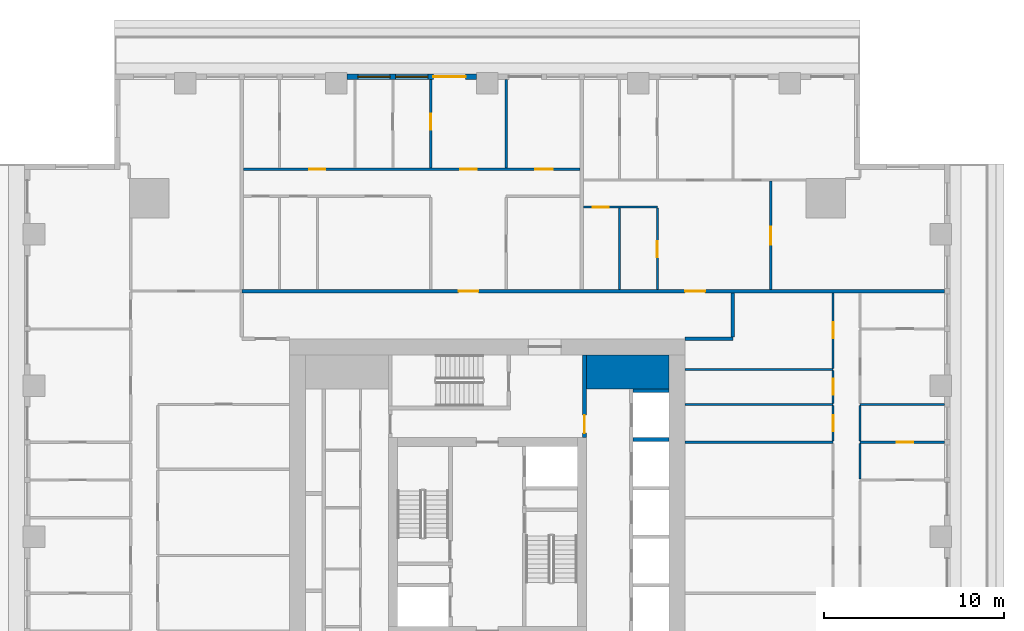
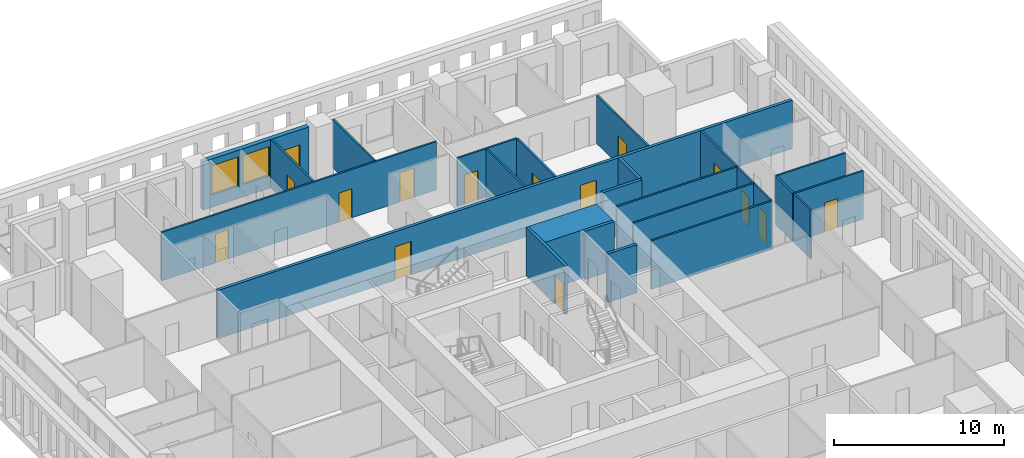
# One storey, part 8 of 15: 25 walls, 15 doors, 2 windows, 17 openings.
"""IFC4 building model written with IfcOpenShell, lengths in metres."""

from ifc_helpers import new_model, si_unit, direction, frame, frame_2d, origin, place, context, subcontext, project, spatial, rectangle, extrude, material, layer, layer_set, type_object, element, fill, save


model = new_model("IFC4")

# Units and contexts
model_context = context("Model", 3, precision=1e-05, world=origin(), true_north=direction((0.0, 1.0)))
body_context = subcontext(model_context, "Body", "Model", "MODEL_VIEW")
ifc_project = project(units=[si_unit("LENGTHUNIT", "METRE"), si_unit("AREAUNIT", "SQUARE_METRE"), si_unit("VOLUMEUNIT", "CUBIC_METRE"), si_unit("PLANEANGLEUNIT", "RADIAN"), si_unit("MASSUNIT", "GRAM", prefix="KILO")], contexts=[model_context])

# Site, building, storey
site_placement = place(None, origin())
site = spatial("IfcSite", under=ifc_project, at=site_placement, CompositionType="ELEMENT")
building_placement = place(site_placement, origin())
building = spatial("IfcBuilding", under=site, at=building_placement, Name="Khepri Terraces", CompositionType="ELEMENT")
storey_placement = place(building_placement, frame((0.0, 0.0, 248.39990234375)))
storey = spatial("IfcBuildingStorey", under=building, at=storey_placement, Name="L59", CompositionType="ELEMENT", Elevation=248.39990234375)

# Walls
ifc_material_1 = material(Name="Concrete C40/50", Category="concrete")
ifc_layer_1 = layer(ifc_material_1, 1.89990234375, Name="Concrete C40/50", Category="concrete")
ifc_layer_set_1 = layer_set([ifc_layer_1], Name="Concrete C40/50")
wall_type_1 = type_object("IfcWallType", Name="Core wall 1900 C40/50", PredefinedType="SHEAR", material=ifc_layer_set_1)
wall_1_placement = place(storey_placement, frame((5.5, 9.14990234375, 0.0), z_axis=(0.0, 0.0, 1.0), x_axis=(1.0, 0.0, 0.0)))
element("IfcWall", 1, at=wall_1_placement, inside=storey, type_object=wall_type_1, Name="Core wall PR04 L59", PredefinedType="SHEAR", context=body_context, shape_type="SweptSolid", body=[
    extrude(rectangle(XDim=4.60009765625, YDim=1.89990234375, at=frame_2d((2.300048828125, 0.0))), origin(), (0.0, 0.0, 1.0), 3.47998046875),
])
ifc_layer_2 = layer(ifc_material_1, 0.199951171875, Name="Concrete C40/50", Category="concrete")
ifc_layer_set_2 = layer_set([ifc_layer_2], Name="Concrete C40/50")
wall_type_2 = type_object("IfcWallType", Name="Core wall 200 C40/50", PredefinedType="SHEAR", material=ifc_layer_set_2)
for number, where, z_axis, x_axis, name in (
    (2, (8.10009765625, 5.39990234375, 0.0), (0.0, 0.0, 1.0), (1.0, 0.0, 0.0), "Core wall SH14 L59"),
    (3, (8.10009765625, 8.10009765625, 0.0), (0.0, 0.0, 1.0), (1.0, 0.0, 0.0), "Core wall SH15 L59"),
):
    element("IfcWall", number, at=place(storey_placement, frame(where, z_axis=z_axis, x_axis=x_axis)), inside=storey, type_object=wall_type_2, Name=name, PredefinedType="SHEAR", context=body_context, shape_type="SweptSolid", body=[
        extrude(rectangle(XDim=2.0, YDim=0.199951171875, at=frame_2d((1.0, 0.0))), origin(), (0.0, 0.0, 1.0), 3.47998046875),
    ])

# Wall, opening, door
ifc_material_2 = material(Name="Fire-rated gypsum board partition")
ifc_layer_3 = layer(ifc_material_2, 0.199951171875, Name="Fire-rated gypsum board partition")
ifc_layer_set_3 = layer_set([ifc_layer_3], Name="Fire-rated gypsum board partition")
wall_type_3 = type_object("IfcWallType", Name="WL-CORE-PART-200", PredefinedType="PARTITIONING", material=ifc_layer_set_3)
wall_2_placement = place(storey_placement, frame((5.39990234375, 5.5, 0.0), z_axis=(0.0, 0.0, 1.0), x_axis=(0.0, 1.0, 0.0)))
wall_2 = element("IfcWall", 4, at=wall_2_placement, inside=storey, type_object=wall_type_3, Name="Core partition PT13 L59", PredefinedType="PARTITIONING", context=body_context, shape_type="SweptSolid", body=[
    extrude(rectangle(XDim=4.60009765625, YDim=0.199951171875, at=frame_2d((2.300048828125, 0.0))), origin(), (0.0, 0.0, 1.0), 3.47998046875),
])
opening_1_placement = place(wall_2_placement, frame((0.25, 0.0, 0.0)))
opening_1 = element("IfcOpeningElement", 5, at=opening_1_placement, cuts=wall_2, Name="Opening L59-C17", PredefinedType="OPENING", context=body_context, shape_type="SweptSolid", body=[
    extrude(rectangle(XDim=1.0, YDim=2.10009765625, at=frame_2d((0.5, 1.050048828125))), frame((0.0, 0.10986328125, 0.0), z_axis=(0.0, -1.0, 0.0), x_axis=(1.0, 0.0, 0.0)), (0.0, 0.0, 1.0), 0.219970703125),
])
ifc_material_3 = material(Name="Painted steel", Category="steel")
door_type_1 = type_object("IfcDoorType", Name="DR-CORE-LOBBY-1000", OperationType="NOTDEFINED", PredefinedType="DOOR", material=ifc_material_3)
door_1_placement = place(opening_1_placement, origin())
door_1 = element("IfcDoor", 6, at=door_1_placement, inside=storey, type_object=door_type_1, Name="Lobby door L59-C17", OperationType="SINGLE_SWING_LEFT", OverallHeight=2.10009765625, OverallWidth=1.0, PredefinedType="DOOR", context=body_context, shape_type="SweptSolid", body=[
    extrude(rectangle(XDim=1.0, YDim=2.10009765625, at=frame_2d((0.5, 1.050048828125))), frame((0.0, 0.02490234375, 0.0), z_axis=(0.0, -1.0, 0.0), x_axis=(1.0, 0.0, 0.0)), (0.0, 0.0, 1.0), 0.050048828125),
])
fill(opening_1, door_1)

# Walls
ifc_material_4 = material(Name="Fire-rated gypsum plasterboard partition, mineral wool")
ifc_layer_4 = layer(ifc_material_4, 0.199951171875, Name="Fire-rated gypsum plasterboard partition, mineral wool")
ifc_layer_set_4 = layer_set([ifc_layer_4], Name="Fire-rated gypsum plasterboard partition, mineral wool")
wall_type_4 = type_object("IfcWallType", Name="WL-CORR-200", PredefinedType="PARTITIONING", material=ifc_layer_set_4)
wall_3_placement = place(storey_placement, frame((11.0, 11.0, 0.0), z_axis=(0.0, 0.0, 1.0), x_axis=(1.0, 0.0, 0.0)))
element("IfcWall", 7, at=wall_3_placement, inside=storey, type_object=wall_type_4, Name="Partition P-074 L59", PredefinedType="PARTITIONING", context=body_context, shape_type="SweptSolid", body=[
    extrude(rectangle(XDim=2.64990234375, YDim=0.199951171875, at=frame_2d((1.324951171875, 0.0))), origin(), (0.0, 0.0, 1.0), 3.47998046875),
])
wall_4_placement = place(storey_placement, frame((13.64990234375, 11.10009765625, 0.0), z_axis=(0.0, 0.0, 1.0), x_axis=(0.0, 1.0, 0.0)))
element("IfcWall", 8, at=wall_4_placement, inside=storey, type_object=wall_type_4, Name="Partition P-076 L59", PredefinedType="PARTITIONING", context=body_context, shape_type="SweptSolid", body=[
    extrude(rectangle(XDim=2.449951171875, YDim=0.199951171875, at=frame_2d((1.22509765625, 0.0))), origin(), (0.0, 0.0, 1.0), 3.47998046875),
])

# Wall, openings, doors
wall_5_placement = place(storey_placement, frame((-13.64990234375, 13.64990234375, 0.0), z_axis=(0.0, 0.0, 1.0), x_axis=(1.0, 0.0, 0.0)))
wall_5 = element("IfcWall", 9, at=wall_5_placement, inside=storey, type_object=wall_type_4, Name="Partition P-082 L59", PredefinedType="PARTITIONING", context=body_context, shape_type="SweptSolid", body=[
    extrude(rectangle(XDim=39.06982421875, YDim=0.199951171875, at=frame_2d((19.534912109375, 0.0))), origin(), (0.0, 0.0, 1.0), 3.47998046875),
])
opening_2_placement = place(wall_5_placement, frame((24.64990234375, 0.0, 0.0)))
opening_2 = element("IfcOpeningElement", 10, at=opening_2_placement, cuts=wall_5, Name="Opening D1", PredefinedType="OPENING", context=body_context, shape_type="SweptSolid", body=[
    extrude(rectangle(XDim=1.10009765625, YDim=2.39990234375, at=frame_2d((0.550048828125, 1.199951171875))), frame((0.0, 0.10986328125, 0.0), z_axis=(0.0, -1.0, 0.0), x_axis=(1.0, 0.0, 0.0)), (0.0, 0.0, 1.0), 0.219970703125),
])
opening_3_placement = place(wall_5_placement, frame((12.050048828125, 0.0, 0.0)))
opening_3 = element("IfcOpeningElement", 11, at=opening_3_placement, cuts=wall_5, Name="Opening D1", PredefinedType="OPENING", context=body_context, shape_type="SweptSolid", body=[
    extrude(rectangle(XDim=1.10009765625, YDim=2.39990234375, at=frame_2d((0.550048828125, 1.199951171875))), frame((0.0, 0.10986328125, 0.0), z_axis=(0.0, -1.0, 0.0), x_axis=(1.0, 0.0, 0.0)), (0.0, 0.0, 1.0), 0.219970703125),
])
ifc_material_5 = material(Name="Solid-core timber door leaf, flat entrance door", Category="wood")
door_type_2 = type_object("IfcDoorType", Name="DR-ENT-1100", OperationType="NOTDEFINED", PredefinedType="DOOR", material=ifc_material_5)
door_2_placement = place(opening_2_placement, origin())
door_2 = element("IfcDoor", 12, at=door_2_placement, inside=storey, type_object=door_type_2, Name="Flat C1 entrance door", OperationType="SINGLE_SWING_RIGHT", OverallHeight=2.39990234375, OverallWidth=1.10009765625, PredefinedType="DOOR", context=body_context, shape_type="SweptSolid", body=[
    extrude(rectangle(XDim=1.10009765625, YDim=2.39990234375, at=frame_2d((0.550048828125, 1.199951171875))), frame((0.0, 0.02490234375, 0.0), z_axis=(0.0, -1.0, 0.0), x_axis=(1.0, 0.0, 0.0)), (0.0, 0.0, 1.0), 0.050048828125),
])
fill(opening_2, door_2)
door_3_placement = place(opening_3_placement, origin())
door_3 = element("IfcDoor", 13, at=door_3_placement, inside=storey, type_object=door_type_2, Name="Flat C2 entrance door", OperationType="SINGLE_SWING_LEFT", OverallHeight=2.39990234375, OverallWidth=1.10009765625, PredefinedType="DOOR", context=body_context, shape_type="SweptSolid", body=[
    extrude(rectangle(XDim=1.10009765625, YDim=2.39990234375, at=frame_2d((0.550048828125, 1.199951171875))), frame((0.0, 0.02490234375, 0.0), z_axis=(0.0, -1.0, 0.0), x_axis=(1.0, 0.0, 0.0)), (0.0, 0.0, 1.0), 0.050048828125),
])
fill(opening_3, door_3)

# Wall, openings, door, windows
ifc_material_6 = material(Name="Precast concrete C50/60 warm stone", Category="masonry")
ifc_layer_5 = layer(ifc_material_6, 0.300048828125, Name="Precast concrete C50/60 warm stone", Category="masonry")
ifc_layer_set_5 = layer_set([ifc_layer_5], Name="Precast concrete C50/60 warm stone")
wall_type_5 = type_object("IfcWallType", Name="WL-EXT-PRECAST-300", PredefinedType="STANDARD", material=ifc_layer_set_5)
wall_6_placement = place(storey_placement, frame((-0.60009765625, 25.570068359375, 0.0), z_axis=(0.0, 0.0, 1.0), x_axis=(-1.0, 0.0, 0.0)))
wall_6 = element("IfcWall", 14, at=wall_6_placement, inside=storey, type_object=wall_type_5, Name="External wall L59 N", PredefinedType="STANDARD", context=body_context, shape_type="SweptSolid", body=[
    extrude(rectangle(XDim=7.199951171875, YDim=0.300048828125, at=frame_2d((3.60009765625, 0.0))), origin(), (0.0, 0.0, 1.0), 3.47998046875),
])
opening_4_placement = place(wall_6_placement, frame((0.60009765625, 0.0, 0.0)))
opening_4 = element("IfcOpeningElement", 15, at=opening_4_placement, cuts=wall_6, Name="Opening ED-L59-11", PredefinedType="OPENING", context=body_context, shape_type="SweptSolid", body=[
    extrude(rectangle(XDim=1.800048828125, YDim=2.39990234375, at=frame_2d((0.89990234375, 1.199951171875))), frame((0.0, 0.16015625, 0.0), z_axis=(0.0, -1.0, 0.0), x_axis=(1.0, 0.0, 0.0)), (0.0, 0.0, 1.0), 0.320068359375),
])
opening_5_placement = place(wall_6_placement, frame((2.699951171875, 0.0, 0.89990234375)))
opening_5 = element("IfcOpeningElement", 16, at=opening_5_placement, cuts=wall_6, Name="Opening W1", PredefinedType="OPENING", context=body_context, shape_type="SweptSolid", body=[
    extrude(rectangle(XDim=1.800048828125, YDim=2.10009765625, at=frame_2d((0.89990234375, 1.050048828125))), frame((0.0, 0.16015625, 0.0), z_axis=(0.0, -1.0, 0.0), x_axis=(1.0, 0.0, 0.0)), (0.0, 0.0, 1.0), 0.320068359375),
])
opening_6_placement = place(wall_6_placement, frame((4.800048828125, 0.0, 0.89990234375)))
opening_6 = element("IfcOpeningElement", 17, at=opening_6_placement, cuts=wall_6, Name="Opening W1", PredefinedType="OPENING", context=body_context, shape_type="SweptSolid", body=[
    extrude(rectangle(XDim=1.800048828125, YDim=2.10009765625, at=frame_2d((0.89990234375, 1.050048828125))), frame((0.0, 0.16015625, 0.0), z_axis=(0.0, -1.0, 0.0), x_axis=(1.0, 0.0, 0.0)), (0.0, 0.0, 1.0), 0.320068359375),
])
ifc_material_7 = material(Name="Anodised aluminium bronze glazed door", Category="aluminium")
door_type_3 = type_object("IfcDoorType", Name="DR-BAL-SLIDE-1800x2400", OperationType="NOTDEFINED", PredefinedType="DOOR", material=ifc_material_7)
door_4_placement = place(opening_4_placement, origin())
door_4 = element("IfcDoor", 18, at=door_4_placement, inside=storey, type_object=door_type_3, Name="Balcony door L59 N", OperationType="SLIDING_TO_LEFT", OverallHeight=2.39990234375, OverallWidth=1.800048828125, PredefinedType="DOOR", context=body_context, shape_type="SweptSolid", body=[
    extrude(rectangle(XDim=1.800048828125, YDim=2.39990234375, at=frame_2d((0.89990234375, 1.199951171875))), frame((0.0, 0.02490234375, 0.0), z_axis=(0.0, -1.0, 0.0), x_axis=(1.0, 0.0, 0.0)), (0.0, 0.0, 1.0), 0.050048828125),
])
fill(opening_4, door_4)
ifc_material_8 = material(Name="Clear glass", Category="glass")
window_type = type_object("IfcWindowType", Name="WIN-RES-1800x2100", PartitioningType="SINGLE_PANEL", PredefinedType="WINDOW", material=ifc_material_8)
window_1_placement = place(opening_5_placement, origin())
window_1 = element("IfcWindow", 19, at=window_1_placement, inside=storey, type_object=window_type, Name="Window L59 N", OverallHeight=2.10009765625, OverallWidth=1.800048828125, PartitioningType="SINGLE_PANEL", PredefinedType="WINDOW", context=body_context, shape_type="SweptSolid", body=[
    extrude(rectangle(XDim=1.800048828125, YDim=2.10009765625, at=frame_2d((0.89990234375, 1.050048828125))), frame((0.0, 0.030029296875, 0.0), z_axis=(0.0, -1.0, 0.0), x_axis=(1.0, 0.0, 0.0)), (0.0, 0.0, 1.0), 0.06005859375),
])
fill(opening_5, window_1)
window_2_placement = place(opening_6_placement, origin())
window_2 = element("IfcWindow", 20, at=window_2_placement, inside=storey, type_object=window_type, Name="Window L59 N", OverallHeight=2.10009765625, OverallWidth=1.800048828125, PartitioningType="SINGLE_PANEL", PredefinedType="WINDOW", context=body_context, shape_type="SweptSolid", body=[
    extrude(rectangle(XDim=1.800048828125, YDim=2.10009765625, at=frame_2d((0.89990234375, 1.050048828125))), frame((0.0, 0.030029296875, 0.0), z_axis=(0.0, -1.0, 0.0), x_axis=(1.0, 0.0, 0.0)), (0.0, 0.0, 1.0), 0.06005859375),
])
fill(opening_6, window_2)

# Walls
ifc_material_9 = material(Name="Gypsum plasterboard partition")
ifc_layer_6 = layer(ifc_material_9, 0.1201171875, Name="Gypsum plasterboard partition")
ifc_layer_set_6 = layer_set([ifc_layer_6], Name="Gypsum plasterboard partition")
wall_type_6 = type_object("IfcWallType", Name="WL-PART-120", PredefinedType="PARTITIONING", material=ifc_layer_set_6)
wall_7_placement = place(storey_placement, frame((20.719970703125, 3.2099609375, 0.0), z_axis=(0.0, 0.0, 1.0), x_axis=(0.0, 1.0, 0.0)))
element("IfcWall", 21, at=wall_7_placement, inside=storey, type_object=wall_type_6, Name="Partition P-057 L59", PredefinedType="PARTITIONING", context=body_context, shape_type="SweptSolid", body=[
    extrude(rectangle(XDim=1.97998046875, YDim=0.1201171875, at=frame_2d((0.989990234375, 0.0))), origin(), (0.0, 0.0, 1.0), 3.47998046875),
])
wall_8_placement = place(storey_placement, frame((11.0, 5.25, 0.0), z_axis=(0.0, 0.0, 1.0), x_axis=(1.0, 0.0, 0.0)))
element("IfcWall", 22, at=wall_8_placement, inside=storey, type_object=wall_type_6, Name="Partition P-061 L59", PredefinedType="PARTITIONING", context=body_context, shape_type="SweptSolid", body=[
    extrude(rectangle(XDim=8.219970703125, YDim=0.1201171875, at=frame_2d((4.10986328125, 0.0))), origin(), (0.0, 0.0, 1.0), 3.47998046875),
])

# Wall, opening, door
wall_9_placement = place(storey_placement, frame((20.719970703125, 5.25, 0.0), z_axis=(0.0, 0.0, 1.0), x_axis=(1.0, 0.0, 0.0)))
wall_9 = element("IfcWall", 23, at=wall_9_placement, inside=storey, type_object=wall_type_6, Name="Partition P-062 L59", PredefinedType="PARTITIONING", context=body_context, shape_type="SweptSolid", body=[
    extrude(rectangle(XDim=4.699951171875, YDim=0.1201171875, at=frame_2d((2.35009765625, 0.0))), origin(), (0.0, 0.0, 1.0), 3.47998046875),
])
opening_7_placement = place(wall_9_placement, frame((2.050048828125, 0.0, 0.0)))
opening_7 = element("IfcOpeningElement", 24, at=opening_7_placement, cuts=wall_9, Name="Opening D4", PredefinedType="OPENING", context=body_context, shape_type="SweptSolid", body=[
    extrude(rectangle(XDim=0.89990234375, YDim=2.10009765625, at=frame_2d((0.449951171875, 1.050048828125))), frame((0.0, 0.070068359375, 0.0), z_axis=(0.0, -1.0, 0.0), x_axis=(1.0, 0.0, 0.0)), (0.0, 0.0, 1.0), 0.14013671875),
])
ifc_material_10 = material(Name="Timber door leaf, moisture resistant", Category="wood")
door_type_4 = type_object("IfcDoorType", Name="DR-WET-900", OperationType="NOTDEFINED", PredefinedType="DOOR", material=ifc_material_10)
door_5_placement = place(opening_7_placement, origin())
door_5 = element("IfcDoor", 25, at=door_5_placement, inside=storey, type_object=door_type_4, Name="Door Bathroom", OperationType="SINGLE_SWING_RIGHT", OverallHeight=2.10009765625, OverallWidth=0.89990234375, PredefinedType="DOOR", context=body_context, shape_type="SweptSolid", body=[
    extrude(rectangle(XDim=0.89990234375, YDim=2.10009765625, at=frame_2d((0.449951171875, 1.050048828125))), frame((0.0, 0.02490234375, 0.0), z_axis=(0.0, -1.0, 0.0), x_axis=(1.0, 0.0, 0.0)), (0.0, 0.0, 1.0), 0.050048828125),
])
fill(opening_7, door_5)

wall_10_placement = place(storey_placement, frame((19.219970703125, 5.31005859375, 0.0), z_axis=(0.0, 0.0, 1.0), x_axis=(0.0, 1.0, 0.0)))
wall_10 = element("IfcWall", 26, at=wall_10_placement, inside=storey, type_object=wall_type_6, Name="Partition P-064 L59", PredefinedType="PARTITIONING", context=body_context, shape_type="SweptSolid", body=[
    extrude(rectangle(XDim=1.97998046875, YDim=0.1201171875, at=frame_2d((0.989990234375, 0.0))), origin(), (0.0, 0.0, 1.0), 3.47998046875),
])
opening_8_placement = place(wall_10_placement, frame((0.5400390625, 0.0, 0.0)))
opening_8 = element("IfcOpeningElement", 27, at=opening_8_placement, cuts=wall_10, Name="Opening D4", PredefinedType="OPENING", context=body_context, shape_type="SweptSolid", body=[
    extrude(rectangle(XDim=0.89990234375, YDim=2.10009765625, at=frame_2d((0.449951171875, 1.050048828125))), frame((0.0, 0.070068359375, 0.0), z_axis=(0.0, -1.0, 0.0), x_axis=(1.0, 0.0, 0.0)), (0.0, 0.0, 1.0), 0.14013671875),
])
door_6_placement = place(opening_8_placement, origin())
door_6 = element("IfcDoor", 28, at=door_6_placement, inside=storey, type_object=door_type_4, Name="Door Powder Room", OperationType="SINGLE_SWING_RIGHT", OverallHeight=2.10009765625, OverallWidth=0.89990234375, PredefinedType="DOOR", context=body_context, shape_type="SweptSolid", body=[
    extrude(rectangle(XDim=0.89990234375, YDim=2.10009765625, at=frame_2d((0.449951171875, 1.050048828125))), frame((0.0, 0.02490234375, 0.0), z_axis=(0.0, -1.0, 0.0), x_axis=(1.0, 0.0, 0.0)), (0.0, 0.0, 1.0), 0.050048828125),
])
fill(opening_8, door_6)

# Walls
wall_11_placement = place(storey_placement, frame((20.719970703125, 5.31005859375, 0.0), z_axis=(0.0, 0.0, 1.0), x_axis=(0.0, 1.0, 0.0)))
element("IfcWall", 29, at=wall_11_placement, inside=storey, type_object=wall_type_6, Name="Partition P-065 L59", PredefinedType="PARTITIONING", context=body_context, shape_type="SweptSolid", body=[
    extrude(rectangle(XDim=1.97998046875, YDim=0.1201171875, at=frame_2d((0.989990234375, 0.0))), origin(), (0.0, 0.0, 1.0), 3.47998046875),
])
wall_12_placement = place(storey_placement, frame((11.0, 7.35009765625, 0.0), z_axis=(0.0, 0.0, 1.0), x_axis=(1.0, 0.0, 0.0)))
element("IfcWall", 30, at=wall_12_placement, inside=storey, type_object=wall_type_6, Name="Partition P-067 L59", PredefinedType="PARTITIONING", context=body_context, shape_type="SweptSolid", body=[
    extrude(rectangle(XDim=8.219970703125, YDim=0.1201171875, at=frame_2d((4.10986328125, 0.0))), origin(), (0.0, 0.0, 1.0), 3.47998046875),
])
wall_13_placement = place(storey_placement, frame((20.719970703125, 7.35009765625, 0.0), z_axis=(0.0, 0.0, 1.0), x_axis=(1.0, 0.0, 0.0)))
element("IfcWall", 31, at=wall_13_placement, inside=storey, type_object=wall_type_6, Name="Partition P-068 L59", PredefinedType="PARTITIONING", context=body_context, shape_type="SweptSolid", body=[
    extrude(rectangle(XDim=4.699951171875, YDim=0.1201171875, at=frame_2d((2.35009765625, 0.0))), origin(), (0.0, 0.0, 1.0), 3.47998046875),
])

# Wall, opening, door
wall_14_placement = place(storey_placement, frame((19.219970703125, 7.409912109375, 0.0), z_axis=(0.0, 0.0, 1.0), x_axis=(0.0, 1.0, 0.0)))
wall_14 = element("IfcWall", 32, at=wall_14_placement, inside=storey, type_object=wall_type_6, Name="Partition P-069 L59", PredefinedType="PARTITIONING", context=body_context, shape_type="SweptSolid", body=[
    extrude(rectangle(XDim=1.830078125, YDim=0.1201171875, at=frame_2d((0.9150390625, 0.0))), origin(), (0.0, 0.0, 1.0), 3.47998046875),
])
opening_9_placement = place(wall_14_placement, frame((0.465087890625, 0.0, 0.0)))
opening_9 = element("IfcOpeningElement", 33, at=opening_9_placement, cuts=wall_14, Name="Opening D4", PredefinedType="OPENING", context=body_context, shape_type="SweptSolid", body=[
    extrude(rectangle(XDim=0.89990234375, YDim=2.10009765625, at=frame_2d((0.449951171875, 1.050048828125))), frame((0.0, 0.070068359375, 0.0), z_axis=(0.0, -1.0, 0.0), x_axis=(1.0, 0.0, 0.0)), (0.0, 0.0, 1.0), 0.14013671875),
])
door_7_placement = place(opening_9_placement, origin())
door_7 = element("IfcDoor", 34, at=door_7_placement, inside=storey, type_object=door_type_4, Name="Door Guest Bathroom", OperationType="SINGLE_SWING_LEFT", OverallHeight=2.10009765625, OverallWidth=0.89990234375, PredefinedType="DOOR", context=body_context, shape_type="SweptSolid", body=[
    extrude(rectangle(XDim=0.89990234375, YDim=2.10009765625, at=frame_2d((0.449951171875, 1.050048828125))), frame((0.0, 0.02490234375, 0.0), z_axis=(0.0, -1.0, 0.0), x_axis=(1.0, 0.0, 0.0)), (0.0, 0.0, 1.0), 0.050048828125),
])
fill(opening_9, door_7)

# Wall
wall_15_placement = place(storey_placement, frame((11.0, 9.300048828125, 0.0), z_axis=(0.0, 0.0, 1.0), x_axis=(1.0, 0.0, 0.0)))
element("IfcWall", 35, at=wall_15_placement, inside=storey, type_object=wall_type_6, Name="Partition P-071 L59", PredefinedType="PARTITIONING", context=body_context, shape_type="SweptSolid", body=[
    extrude(rectangle(XDim=8.219970703125, YDim=0.1201171875, at=frame_2d((4.10986328125, 0.0))), origin(), (0.0, 0.0, 1.0), 3.47998046875),
])

# Wall, opening, door
wall_16_placement = place(storey_placement, frame((19.219970703125, 9.360107421875, 0.0), z_axis=(0.0, 0.0, 1.0), x_axis=(0.0, 1.0, 0.0)))
wall_16 = element("IfcWall", 36, at=wall_16_placement, inside=storey, type_object=wall_type_6, Name="Partition P-072 L59", PredefinedType="PARTITIONING", context=body_context, shape_type="SweptSolid", body=[
    extrude(rectangle(XDim=4.18994140625, YDim=0.1201171875, at=frame_2d((2.094970703125, 0.0))), origin(), (0.0, 0.0, 1.0), 3.47998046875),
])
opening_10_placement = place(wall_16_placement, frame((1.6650390625, 0.0, 0.0)))
opening_10 = element("IfcOpeningElement", 37, at=opening_10_placement, cuts=wall_16, Name="Opening D3", PredefinedType="OPENING", context=body_context, shape_type="SweptSolid", body=[
    extrude(rectangle(XDim=0.89990234375, YDim=2.10009765625, at=frame_2d((0.449951171875, 1.050048828125))), frame((0.0, 0.070068359375, 0.0), z_axis=(0.0, -1.0, 0.0), x_axis=(1.0, 0.0, 0.0)), (0.0, 0.0, 1.0), 0.14013671875),
])
ifc_material_11 = material(Name="Timber door leaf", Category="wood")
door_type_5 = type_object("IfcDoorType", Name="DR-INT-900", OperationType="NOTDEFINED", PredefinedType="DOOR", material=ifc_material_11)
door_8_placement = place(opening_10_placement, origin())
door_8 = element("IfcDoor", 38, at=door_8_placement, inside=storey, type_object=door_type_5, Name="Door Library", OperationType="SINGLE_SWING_RIGHT", OverallHeight=2.10009765625, OverallWidth=0.89990234375, PredefinedType="DOOR", context=body_context, shape_type="SweptSolid", body=[
    extrude(rectangle(XDim=0.89990234375, YDim=2.10009765625, at=frame_2d((0.449951171875, 1.050048828125))), frame((0.0, 0.02490234375, 0.0), z_axis=(0.0, -1.0, 0.0), x_axis=(1.0, 0.0, 0.0)), (0.0, 0.0, 1.0), 0.050048828125),
])
fill(opening_10, door_8)

# Wall
wall_17_placement = place(storey_placement, frame((7.35009765625, 13.75, 0.0), z_axis=(0.0, 0.0, 1.0), x_axis=(0.0, 1.0, 0.0)))
element("IfcWall", 39, at=wall_17_placement, inside=storey, type_object=wall_type_6, Name="Partition P-090 L59", PredefinedType="PARTITIONING", context=body_context, shape_type="SweptSolid", body=[
    extrude(rectangle(XDim=4.510009765625, YDim=0.1201171875, at=frame_2d((2.2548828125, 0.0))), origin(), (0.0, 0.0, 1.0), 3.47998046875),
])

# Wall, opening, door
wall_18_placement = place(storey_placement, frame((9.449951171875, 13.75, 0.0), z_axis=(0.0, 0.0, 1.0), x_axis=(0.0, 1.0, 0.0)))
wall_18 = element("IfcWall", 40, at=wall_18_placement, inside=storey, type_object=wall_type_6, Name="Partition P-091 L59", PredefinedType="PARTITIONING", context=body_context, shape_type="SweptSolid", body=[
    extrude(rectangle(XDim=4.510009765625, YDim=0.1201171875, at=frame_2d((2.2548828125, 0.0))), origin(), (0.0, 0.0, 1.0), 3.47998046875),
])
opening_11_placement = place(wall_18_placement, frame((1.784912109375, 0.0, 0.0)))
opening_11 = element("IfcOpeningElement", 41, at=opening_11_placement, cuts=wall_18, Name="Opening D4", PredefinedType="OPENING", context=body_context, shape_type="SweptSolid", body=[
    extrude(rectangle(XDim=0.89990234375, YDim=2.10009765625, at=frame_2d((0.449951171875, 1.050048828125))), frame((0.0, 0.070068359375, 0.0), z_axis=(0.0, -1.0, 0.0), x_axis=(1.0, 0.0, 0.0)), (0.0, 0.0, 1.0), 0.14013671875),
])
door_9_placement = place(opening_11_placement, origin())
door_9 = element("IfcDoor", 42, at=door_9_placement, inside=storey, type_object=door_type_4, Name="Door Guest Bathroom", OperationType="SINGLE_SWING_LEFT", OverallHeight=2.10009765625, OverallWidth=0.89990234375, PredefinedType="DOOR", context=body_context, shape_type="SweptSolid", body=[
    extrude(rectangle(XDim=0.89990234375, YDim=2.10009765625, at=frame_2d((0.449951171875, 1.050048828125))), frame((0.0, 0.02490234375, 0.0), z_axis=(0.0, -1.0, 0.0), x_axis=(1.0, 0.0, 0.0)), (0.0, 0.0, 1.0), 0.050048828125),
])
fill(opening_11, door_9)

wall_19_placement = place(storey_placement, frame((15.75, 13.75, 0.0), z_axis=(0.0, 0.0, 1.0), x_axis=(0.0, 1.0, 0.0)))
wall_19 = element("IfcWall", 43, at=wall_19_placement, inside=storey, type_object=wall_type_6, Name="Partition P-092 L59", PredefinedType="PARTITIONING", context=body_context, shape_type="SweptSolid", body=[
    extrude(rectangle(XDim=6.010009765625, YDim=0.1201171875, at=frame_2d((3.0048828125, 0.0))), origin(), (0.0, 0.0, 1.0), 3.47998046875),
])
opening_12_placement = place(wall_19_placement, frame((2.485107421875, 0.0, 0.0)))
opening_12 = element("IfcOpeningElement", 44, at=opening_12_placement, cuts=wall_19, Name="Opening D2", PredefinedType="OPENING", context=body_context, shape_type="SweptSolid", body=[
    extrude(rectangle(XDim=1.0, YDim=2.10009765625, at=frame_2d((0.5, 1.050048828125))), frame((0.0, 0.070068359375, 0.0), z_axis=(0.0, -1.0, 0.0), x_axis=(1.0, 0.0, 0.0)), (0.0, 0.0, 1.0), 0.14013671875),
])
ifc_material_12 = material(Name="Timber door leaf, living room door", Category="wood")
door_type_6 = type_object("IfcDoorType", Name="DR-INT-1000", OperationType="NOTDEFINED", PredefinedType="DOOR", material=ifc_material_12)
door_10_placement = place(opening_12_placement, frame((1.0, 0.0, 0.0), z_axis=(0.0, 0.0, 1.0), x_axis=(-1.0, 0.0, 0.0)))
door_10 = element("IfcDoor", 45, at=door_10_placement, inside=storey, type_object=door_type_6, Name="Door Family Room", OperationType="SINGLE_SWING_RIGHT", OverallHeight=2.10009765625, OverallWidth=1.0, PredefinedType="DOOR", context=body_context, shape_type="SweptSolid", body=[
    extrude(rectangle(XDim=1.0, YDim=2.10009765625, at=frame_2d((0.5, 1.050048828125))), frame((0.0, 0.02490234375, 0.0), z_axis=(0.0, -1.0, 0.0), x_axis=(1.0, 0.0, 0.0)), (0.0, 0.0, 1.0), 0.050048828125),
])
fill(opening_12, door_10)

wall_20_placement = place(storey_placement, frame((5.35009765625, 18.320068359375, 0.0), z_axis=(0.0, 0.0, 1.0), x_axis=(1.0, 0.0, 0.0)))
wall_20 = element("IfcWall", 46, at=wall_20_placement, inside=storey, type_object=wall_type_6, Name="Partition P-093 L59", PredefinedType="PARTITIONING", context=body_context, shape_type="SweptSolid", body=[
    extrude(rectangle(XDim=4.099853515625, YDim=0.1201171875, at=frame_2d((2.0498046875, 0.0))), origin(), (0.0, 0.0, 1.0), 3.47998046875),
])
opening_13_placement = place(wall_20_placement, frame((0.5, 0.0, 0.0)))
opening_13 = element("IfcOpeningElement", 47, at=opening_13_placement, cuts=wall_20, Name="Opening D3", PredefinedType="OPENING", context=body_context, shape_type="SweptSolid", body=[
    extrude(rectangle(XDim=0.89990234375, YDim=2.10009765625, at=frame_2d((0.449951171875, 1.050048828125))), frame((0.0, 0.070068359375, 0.0), z_axis=(0.0, -1.0, 0.0), x_axis=(1.0, 0.0, 0.0)), (0.0, 0.0, 1.0), 0.14013671875),
])
door_11_placement = place(opening_13_placement, frame((0.89990234375, 0.0, 0.0), z_axis=(0.0, 0.0, 1.0), x_axis=(-1.0, 0.0, 0.0)))
door_11 = element("IfcDoor", 48, at=door_11_placement, inside=storey, type_object=door_type_5, Name="Door Kitchen", OperationType="SINGLE_SWING_RIGHT", OverallHeight=2.10009765625, OverallWidth=0.89990234375, PredefinedType="DOOR", context=body_context, shape_type="SweptSolid", body=[
    extrude(rectangle(XDim=0.89990234375, YDim=2.10009765625, at=frame_2d((0.449951171875, 1.050048828125))), frame((0.0, 0.02490234375, 0.0), z_axis=(0.0, -1.0, 0.0), x_axis=(1.0, 0.0, 0.0)), (0.0, 0.0, 1.0), 0.050048828125),
])
fill(opening_13, door_11)

# Wall, openings, doors
wall_21_placement = place(storey_placement, frame((-13.550048828125, 20.419921875, 0.0), z_axis=(0.0, 0.0, 1.0), x_axis=(1.0, 0.0, 0.0)))
wall_21 = element("IfcWall", 49, at=wall_21_placement, inside=storey, type_object=wall_type_6, Name="Partition P-103 L59", PredefinedType="PARTITIONING", context=body_context, shape_type="SweptSolid", body=[
    extrude(rectangle(XDim=18.699951171875, YDim=0.1201171875, at=frame_2d((9.35009765625, 0.0))), origin(), (0.0, 0.0, 1.0), 3.47998046875),
])
opening_14_placement = place(wall_21_placement, frame((16.199951171875, 0.0, 0.0)))
opening_14 = element("IfcOpeningElement", 50, at=opening_14_placement, cuts=wall_21, Name="Opening D2", PredefinedType="OPENING", context=body_context, shape_type="SweptSolid", body=[
    extrude(rectangle(XDim=1.0, YDim=2.10009765625, at=frame_2d((0.5, 1.050048828125))), frame((0.0, 0.070068359375, 0.0), z_axis=(0.0, -1.0, 0.0), x_axis=(1.0, 0.0, 0.0)), (0.0, 0.0, 1.0), 0.14013671875),
])
opening_15_placement = place(wall_21_placement, frame((12.050048828125, 0.0, 0.0)))
opening_15 = element("IfcOpeningElement", 51, at=opening_15_placement, cuts=wall_21, Name="Opening D3", PredefinedType="OPENING", context=body_context, shape_type="SweptSolid", body=[
    extrude(rectangle(XDim=0.89990234375, YDim=2.10009765625, at=frame_2d((0.449951171875, 1.050048828125))), frame((0.0, 0.070068359375, 0.0), z_axis=(0.0, -1.0, 0.0), x_axis=(1.0, 0.0, 0.0)), (0.0, 0.0, 1.0), 0.14013671875),
])
opening_16_placement = place(wall_21_placement, frame((3.64990234375, 0.0, 0.0)))
opening_16 = element("IfcOpeningElement", 52, at=opening_16_placement, cuts=wall_21, Name="Opening D3", PredefinedType="OPENING", context=body_context, shape_type="SweptSolid", body=[
    extrude(rectangle(XDim=0.89990234375, YDim=2.10009765625, at=frame_2d((0.449951171875, 1.050048828125))), frame((0.0, 0.070068359375, 0.0), z_axis=(0.0, -1.0, 0.0), x_axis=(1.0, 0.0, 0.0)), (0.0, 0.0, 1.0), 0.14013671875),
])
door_12_placement = place(opening_14_placement, origin())
door_12 = element("IfcDoor", 53, at=door_12_placement, inside=storey, type_object=door_type_6, Name="Door Living Room", OperationType="SINGLE_SWING_RIGHT", OverallHeight=2.10009765625, OverallWidth=1.0, PredefinedType="DOOR", context=body_context, shape_type="SweptSolid", body=[
    extrude(rectangle(XDim=1.0, YDim=2.10009765625, at=frame_2d((0.5, 1.050048828125))), frame((0.0, 0.02490234375, 0.0), z_axis=(0.0, -1.0, 0.0), x_axis=(1.0, 0.0, 0.0)), (0.0, 0.0, 1.0), 0.050048828125),
])
fill(opening_14, door_12)
door_13_placement = place(opening_15_placement, origin())
door_13 = element("IfcDoor", 54, at=door_13_placement, inside=storey, type_object=door_type_5, Name="Door Master Bedroom", OperationType="SINGLE_SWING_RIGHT", OverallHeight=2.10009765625, OverallWidth=0.89990234375, PredefinedType="DOOR", context=body_context, shape_type="SweptSolid", body=[
    extrude(rectangle(XDim=0.89990234375, YDim=2.10009765625, at=frame_2d((0.449951171875, 1.050048828125))), frame((0.0, 0.02490234375, 0.0), z_axis=(0.0, -1.0, 0.0), x_axis=(1.0, 0.0, 0.0)), (0.0, 0.0, 1.0), 0.050048828125),
])
fill(opening_15, door_13)
door_14_placement = place(opening_16_placement, origin())
door_14 = element("IfcDoor", 55, at=door_14_placement, inside=storey, type_object=door_type_5, Name="Door Bedroom", OperationType="SINGLE_SWING_LEFT", OverallHeight=2.10009765625, OverallWidth=0.89990234375, PredefinedType="DOOR", context=body_context, shape_type="SweptSolid", body=[
    extrude(rectangle(XDim=0.89990234375, YDim=2.10009765625, at=frame_2d((0.449951171875, 1.050048828125))), frame((0.0, 0.02490234375, 0.0), z_axis=(0.0, -1.0, 0.0), x_axis=(1.0, 0.0, 0.0)), (0.0, 0.0, 1.0), 0.050048828125),
])
fill(opening_16, door_14)

# Wall, opening, door
wall_22_placement = place(storey_placement, frame((-3.14990234375, 20.47998046875, 0.0), z_axis=(0.0, 0.0, 1.0), x_axis=(0.0, 1.0, 0.0)))
wall_22 = element("IfcWall", 56, at=wall_22_placement, inside=storey, type_object=wall_type_6, Name="Partition P-107 L59", PredefinedType="PARTITIONING", context=body_context, shape_type="SweptSolid", body=[
    extrude(rectangle(XDim=4.93994140625, YDim=0.1201171875, at=frame_2d((2.469970703125, 0.0))), origin(), (0.0, 0.0, 1.0), 3.47998046875),
])
opening_17_placement = place(wall_22_placement, frame((2.139892578125, 0.0, 0.0)))
opening_17 = element("IfcOpeningElement", 57, at=opening_17_placement, cuts=wall_22, Name="Opening D3", PredefinedType="OPENING", context=body_context, shape_type="SweptSolid", body=[
    extrude(rectangle(XDim=0.89990234375, YDim=2.10009765625, at=frame_2d((0.449951171875, 1.050048828125))), frame((0.0, 0.070068359375, 0.0), z_axis=(0.0, -1.0, 0.0), x_axis=(1.0, 0.0, 0.0)), (0.0, 0.0, 1.0), 0.14013671875),
])
door_15_placement = place(opening_17_placement, origin())
door_15 = element("IfcDoor", 58, at=door_15_placement, inside=storey, type_object=door_type_5, Name="Door Dressing Room", OperationType="SINGLE_SWING_RIGHT", OverallHeight=2.10009765625, OverallWidth=0.89990234375, PredefinedType="DOOR", context=body_context, shape_type="SweptSolid", body=[
    extrude(rectangle(XDim=0.89990234375, YDim=2.10009765625, at=frame_2d((0.449951171875, 1.050048828125))), frame((0.0, 0.02490234375, 0.0), z_axis=(0.0, -1.0, 0.0), x_axis=(1.0, 0.0, 0.0)), (0.0, 0.0, 1.0), 0.050048828125),
])
fill(opening_17, door_15)

# Wall
wall_23_placement = place(storey_placement, frame((1.050048828125, 20.47998046875, 0.0), z_axis=(0.0, 0.0, 1.0), x_axis=(0.0, 1.0, 0.0)))
element("IfcWall", 59, at=wall_23_placement, inside=storey, type_object=wall_type_6, Name="Partition P-108 L59", PredefinedType="PARTITIONING", context=body_context, shape_type="SweptSolid", body=[
    extrude(rectangle(XDim=4.93994140625, YDim=0.1201171875, at=frame_2d((2.469970703125, 0.0))), origin(), (0.0, 0.0, 1.0), 3.47998046875),
])

save(model, "model.ifc")
